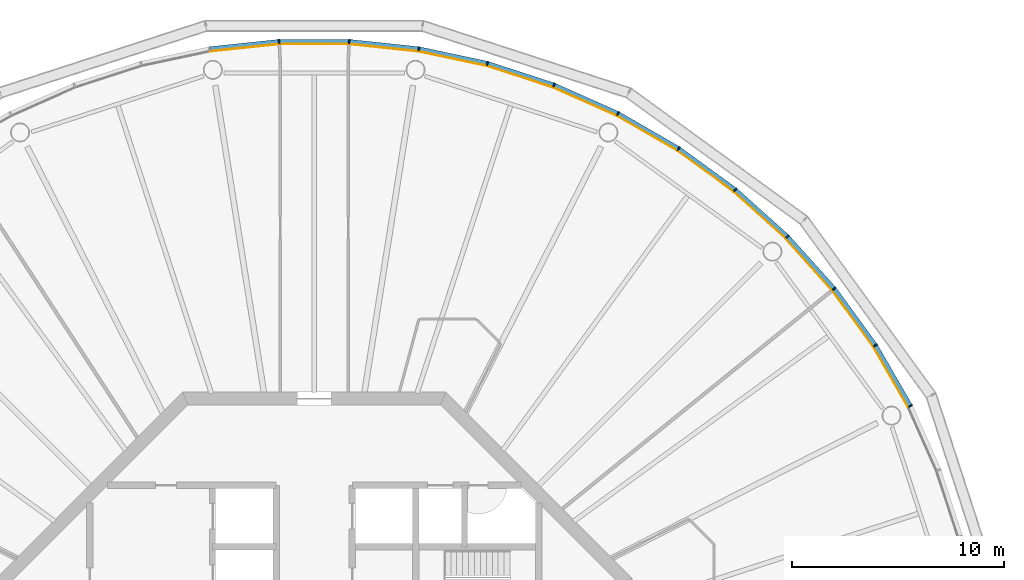
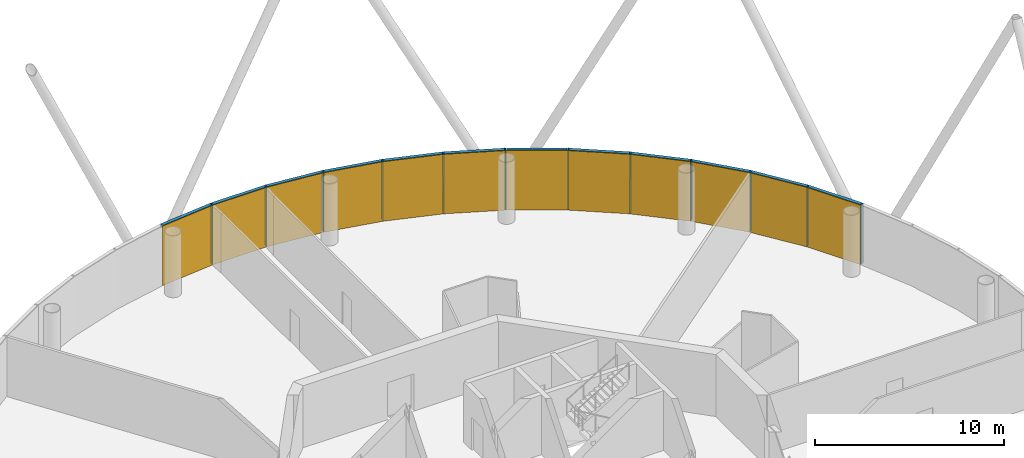
# One storey, part 12 of 13: 24 members, 4 curtain walls.
"""IFC4 building model written with IfcOpenShell, lengths in metres."""

import ifcopenshell
import ifcopenshell.guid

model = None  # the IFC model being written
_history = None  # IfcOwnerHistory: only IFC2X3 demands one
_inside = {}  # id of a spatial element -> (the spatial element, [elements in it])
_under = {}  # id of a project, library or spatial element -> (it, [spatial elements below it])
_declared = {}  # id of a project -> (the project, [libraries it declares])
_typed = {}  # id of a type object -> (the type object, [elements of that type])
_made_of = {}  # id of a material, layer set ... -> (it, [elements and type objects made of it])


def new_model(schema):
    """Start an empty IFC model of exactly this schema.

    Asked for "IFC4X3", IfcOpenShell would pick the latest addendum, in which some entities
    have other attributes; the version numbers below select the first issue.
    IFC2X3 requires an IfcOwnerHistory on every rooted entity: one is made here for all.
    """
    global model, _history
    if schema == "IFC4X3":
        model = ifcopenshell.file(schema_version=(4, 3, 0, 0))
    else:
        model = ifcopenshell.file(schema=schema)
    _inside.clear()
    _under.clear()
    _declared.clear()
    _typed.clear()
    _made_of.clear()
    _history = None
    if model.schema == "IFC2X3":
        org = make("IfcOrganization", Name="unknown")
        user = make(
            "IfcPersonAndOrganization",
            ThePerson=make("IfcPerson", FamilyName="unknown"),
            TheOrganization=org,
        )
        app = make(
            "IfcApplication",
            ApplicationDeveloper=org,
            Version="unknown",
            ApplicationFullName="unknown",
            ApplicationIdentifier="unknown",
        )
        _history = make(
            "IfcOwnerHistory",
            OwningUser=user,
            OwningApplication=app,
            ChangeAction="ADDED",
            CreationDate=0,
        )
    return model


def make(cls, **values):
    """One entity of the class cls with the attributes given. An attribute that is None is left unset."""
    return model.create_entity(
        cls, **{name: value for name, value in values.items() if value is not None}
    )


def rooted(cls, **values):
    """An entity with a GlobalId (a new one), such as an element, a storey or a relation."""
    return make(cls, GlobalId=ifcopenshell.guid.new(), OwnerHistory=_history, **values)


def si_unit(unit_type, name, prefix=None):
    """IfcSIUnit, for example si_unit("LENGTHUNIT", "METRE", prefix="MILLI")."""
    return make("IfcSIUnit", UnitType=unit_type, Prefix=prefix, Name=name)


def assignment(units):
    """IfcUnitAssignment: the units of a project."""
    return None if units is None else make("IfcUnitAssignment", Units=units)


def point(xyz):
    """IfcCartesianPoint."""
    return None if xyz is None else make("IfcCartesianPoint", Coordinates=xyz)


def direction(xyz):
    """IfcDirection."""
    return None if xyz is None else make("IfcDirection", DirectionRatios=xyz)


def frame(location, z_axis=None, x_axis=None):
    """IfcAxis2Placement3D, a coordinate frame: its origin and axes. An axis left out is left unset."""
    return make(
        "IfcAxis2Placement3D",
        Location=point(location),
        Axis=direction(z_axis),
        RefDirection=direction(x_axis),
    )


def frame_2d(location, x_axis=None):
    """IfcAxis2Placement2D, a coordinate frame in the plane: its origin and x axis."""
    return make(
        "IfcAxis2Placement2D", Location=point(location), RefDirection=direction(x_axis)
    )


def origin():
    """The frame at (0, 0, 0) with its axes left unset."""
    return frame((0.0, 0.0, 0.0))


def origin_2d():
    """The frame at (0, 0) in the plane with its x axis left unset."""
    return frame_2d((0.0, 0.0))


def place(relative_to, where):
    """IfcLocalPlacement: puts the frame where relative to a parent placement (None: the world)."""
    return make(
        "IfcLocalPlacement", PlacementRelTo=relative_to, RelativePlacement=where
    )


def context(
    kind, dimensions, precision=None, world=None, true_north=None, identifier=None
):
    """IfcGeometricRepresentationContext, for example the 3D "Model" context."""
    return make(
        "IfcGeometricRepresentationContext",
        ContextIdentifier=identifier,
        ContextType=kind,
        CoordinateSpaceDimension=dimensions,
        Precision=precision,
        WorldCoordinateSystem=world,
        TrueNorth=true_north,
    )


def subcontext(parent, identifier, kind, view, scale=None):
    """IfcGeometricRepresentationSubContext, for example "Body" below "Model"."""
    return make(
        "IfcGeometricRepresentationSubContext",
        ContextIdentifier=identifier,
        ContextType=kind,
        ParentContext=parent,
        TargetScale=scale,
        TargetView=view,
    )


def project(units=None, contexts=None):
    """IfcProject with its units and contexts."""
    return rooted(
        "IfcProject",
        Name="project",
        RepresentationContexts=contexts,
        UnitsInContext=assignment(units),
    )


def spatial(cls, under=None, at=None, **own):
    """A site, building, storey or space (cls), placed at a placement, below another one or the project."""
    s = rooted(cls, ObjectPlacement=at, **own)
    if under is not None:
        _under.setdefault(under.id(), (under, []))[1].append(s)
    return s


def polyline(points):
    """IfcPolyline through the points."""
    return make("IfcPolyline", Points=[point(p) for p in points])


def profile(cls, at=None, kind="AREA", **sizes):
    """A parametric profile (cls). Its sizes go by their IFC names, for example OverallWidth=200.0."""
    return make(cls, ProfileType=kind, Position=at, **sizes)


def rectangle(**sizes):
    """IfcRectangleProfileDef."""
    return profile("IfcRectangleProfileDef", **sizes)


def outline(outer, holes=None, kind="AREA"):
    """IfcArbitraryClosedProfileDef: a profile drawn as a closed curve; with holes, ...WithVoids."""
    if holes is None:
        return make("IfcArbitraryClosedProfileDef", ProfileType=kind, OuterCurve=outer)
    return make(
        "IfcArbitraryProfileDefWithVoids",
        ProfileType=kind,
        OuterCurve=outer,
        InnerCurves=holes,
    )


def extrude(swept, where, along, depth):
    """IfcExtrudedAreaSolid: the profile swept, set in the frame where, extruded along a direction by depth."""
    return make(
        "IfcExtrudedAreaSolid",
        SweptArea=swept,
        Position=where,
        ExtrudedDirection=direction(along),
        Depth=depth,
    )


def shape(context_of_items, identifier, shape_type, items):
    """IfcShapeRepresentation: the items that make up one representation, for example the "Body"."""
    return make(
        "IfcShapeRepresentation",
        ContextOfItems=context_of_items,
        RepresentationIdentifier=identifier,
        RepresentationType=shape_type,
        Items=items,
    )


def material(Name=None, Category=None):
    """IfcMaterial."""
    return make("IfcMaterial", Name=Name, Category=Category)


def layer(
    of_material, thickness, ventilated=None, Name=None, Category=None, Priority=None
):
    """IfcMaterialLayer: one layer of a wall or slab, of a material (None: an air gap)."""
    return make(
        "IfcMaterialLayer",
        Material=of_material,
        LayerThickness=thickness,
        IsVentilated=ventilated,
        Name=Name,
        Category=Category,
        Priority=Priority,
    )


def layer_set(layers, Name=None):
    """IfcMaterialLayerSet."""
    return make("IfcMaterialLayerSet", MaterialLayers=layers, LayerSetName=Name)


def material_profile(
    of_material, cross_section, Name=None, Category=None, Priority=None
):
    """IfcMaterialProfile: a cross section and its material."""
    return make(
        "IfcMaterialProfile",
        Name=Name,
        Material=of_material,
        Profile=cross_section,
        Priority=Priority,
        Category=Category,
    )


def profile_set(profiles, Name=None, composite=None):
    """IfcMaterialProfileSet."""
    return make(
        "IfcMaterialProfileSet",
        Name=Name,
        MaterialProfiles=profiles,
        CompositeProfile=composite,
    )


def made_of(thing, what):
    """Note that an element or type object is made of a material, layer set ...; save() writes the relation."""
    if what is not None:
        _made_of.setdefault(what.id(), (what, []))[1].append(thing)
    return thing


def type_object(cls, material=None, **own):
    """A type object (cls), such as IfcWallType, which elements share."""
    return made_of(rooted(cls, **own), material)


def element(
    cls,
    number,
    at=None,
    inside=None,
    cuts=None,
    type_object=None,
    material=None,
    context=None,
    identifier="Body",
    shape_type=None,
    held_by="IfcProductDefinitionShape",
    body=None,
    shapes=None,
    **own,
):
    """One element of the class cls, such as IfcWall. Its Tag is "e" and its number.

    at: its placement. inside: the storey or other place that contains it. cuts: it is an
    opening in that element (IfcRelVoidsElement). A single representation is given by context,
    identifier, shape_type and body (its items); several are given by shapes. held_by: the class
    of the entity that holds the representations. save() writes the other relations.
    """
    e = rooted(cls, Tag="e%d" % number, ObjectPlacement=at, **own)
    if body is not None:
        shapes = [shape(context, identifier, shape_type, body)]
    if shapes is not None:
        e.Representation = make(held_by, Representations=shapes)
    if inside is not None:
        _inside.setdefault(inside.id(), (inside, []))[1].append(e)
    if cuts is not None:
        rooted(
            "IfcRelVoidsElement", RelatingBuildingElement=cuts, RelatedOpeningElement=e
        )
    if type_object is not None:
        _typed.setdefault(type_object.id(), (type_object, []))[1].append(e)
    return made_of(e, material)


def aggregate(whole, parts):
    """IfcRelAggregates: a whole, such as a stair, and the parts it consists of."""
    return rooted("IfcRelAggregates", RelatingObject=whole, RelatedObjects=parts)


def save(model, path):
    """Write the relations noted so far, then the file.

    IfcRelAggregates (storeys below a building ...), IfcRelContainedInSpatialStructure (elements
    in a storey), IfcRelDefinesByType, IfcRelAssociatesMaterial and IfcRelDeclares: one each for
    every whole, place, type object, material and project.
    """
    for whole, parts in _under.values():
        aggregate(whole, parts)
    for where, things in _inside.values():
        rooted(
            "IfcRelContainedInSpatialStructure",
            RelatedElements=things,
            RelatingStructure=where,
        )
    for kind, things in _typed.values():
        rooted("IfcRelDefinesByType", RelatedObjects=things, RelatingType=kind)
    for what, things in _made_of.values():
        rooted("IfcRelAssociatesMaterial", RelatedObjects=things, RelatingMaterial=what)
    for by, libraries in _declared.values():
        rooted("IfcRelDeclares", RelatingContext=by, RelatedDefinitions=libraries)
    model.write(path)


model = new_model("IFC4")

# Units and contexts
model_context = context("Model", 3, precision=1e-05, world=origin(), true_north=direction((0.0, 1.0)))
body_context = subcontext(model_context, "Body", "Model", "MODEL_VIEW")
ifc_project = project(units=[si_unit("LENGTHUNIT", "METRE"), si_unit("AREAUNIT", "SQUARE_METRE"), si_unit("VOLUMEUNIT", "CUBIC_METRE"), si_unit("PLANEANGLEUNIT", "RADIAN"), si_unit("MASSUNIT", "GRAM", prefix="KILO")], contexts=[model_context])

# Member
ifc_material_1 = material(Name="Anodised aluminium", Category="aluminium")
ifc_material_profile_1 = material_profile(ifc_material_1, rectangle(XDim=0.070068359375, YDim=0.205078125, at=origin_2d()), Name="Mullion 70 x 205 mm anodised aluminium")
ifc_profile_set_1 = profile_set([ifc_material_profile_1], Name="Anodised aluminium")
member_type_1 = type_object("IfcMemberType", Name="Mullion 70 x 205 mm anodised aluminium", PredefinedType="MULLION", material=ifc_profile_set_1)
site_placement = place(None, origin())
building_placement = place(site_placement, origin())
storey_placement = place(building_placement, frame((0.0, 0.0, 336.0)))
member_1_placement = place(storey_placement, frame((118.157958984375, 94.34716796875, 0.0), z_axis=(0.0, 0.0, 1.0), x_axis=(-0.45399049974, 0.891006524188, 0.0)))
member_1 = element("IfcMember", 1, at=member_1_placement, type_object=member_type_1, Name="MULLION L77-03", PredefinedType="MULLION", context=body_context, shape_type="SweptSolid", body=[
    extrude(rectangle(XDim=0.070068359375, YDim=0.205078125, at=origin_2d()), origin(), (0.0, 0.0, 1.0), 3.85009765625),
])

member_2_placement = place(storey_placement, frame((116.504150390625, 97.2119140625, 0.0), z_axis=(0.0, 0.0, 1.0), x_axis=(-0.544639035015, 0.838670567945, 0.0)))
member_2 = element("IfcMember", 2, at=member_2_placement, type_object=member_type_1, Name="MULLION L77-04", PredefinedType="MULLION", context=body_context, shape_type="SweptSolid", body=[
    extrude(rectangle(XDim=0.070068359375, YDim=0.205078125, at=origin_2d()), origin(), (0.0, 0.0, 1.0), 3.85009765625),
])

member_3_placement = place(storey_placement, frame((114.559814453125, 99.88818359375, 0.0), z_axis=(0.0, 0.0, 1.0), x_axis=(-0.62932039105, 0.777145961457, 0.0)))
member_3 = element("IfcMember", 3, at=member_3_placement, type_object=member_type_1, Name="MULLION L77-05", PredefinedType="MULLION", context=body_context, shape_type="SweptSolid", body=[
    extrude(rectangle(XDim=0.070068359375, YDim=0.205078125, at=origin_2d()), origin(), (0.0, 0.0, 1.0), 3.85009765625),
])

member_4_placement = place(storey_placement, frame((112.346435546875, 102.346435546875, 0.0), z_axis=(0.0, 0.0, 1.0), x_axis=(-0.707106781187, 0.707106781187, 0.0)))
member_4 = element("IfcMember", 4, at=member_4_placement, type_object=member_type_1, Name="MULLION L77-06", PredefinedType="MULLION", context=body_context, shape_type="SweptSolid", body=[
    extrude(rectangle(XDim=0.070068359375, YDim=0.205078125, at=origin_2d()), origin(), (0.0, 0.0, 1.0), 3.85009765625),
])

member_5_placement = place(storey_placement, frame((109.88818359375, 104.559814453125, 0.0), z_axis=(0.0, 0.0, 1.0), x_axis=(-0.777145961457, 0.62932039105, 0.0)))
member_5 = element("IfcMember", 5, at=member_5_placement, type_object=member_type_1, Name="MULLION L77-07", PredefinedType="MULLION", context=body_context, shape_type="SweptSolid", body=[
    extrude(rectangle(XDim=0.070068359375, YDim=0.205078125, at=origin_2d()), origin(), (0.0, 0.0, 1.0), 3.85009765625),
])

member_6_placement = place(storey_placement, frame((107.2119140625, 106.504150390625, 0.0), z_axis=(0.0, 0.0, 1.0), x_axis=(-0.838670567945, 0.544639035015, 0.0)))
member_6 = element("IfcMember", 6, at=member_6_placement, type_object=member_type_1, Name="MULLION L77-08", PredefinedType="MULLION", context=body_context, shape_type="SweptSolid", body=[
    extrude(rectangle(XDim=0.070068359375, YDim=0.205078125, at=origin_2d()), origin(), (0.0, 0.0, 1.0), 3.85009765625),
])

member_7_placement = place(storey_placement, frame((104.34716796875, 108.157958984375, 0.0), z_axis=(0.0, 0.0, 1.0), x_axis=(-0.891006524188, 0.45399049974, 0.0)))
member_7 = element("IfcMember", 7, at=member_7_placement, type_object=member_type_1, Name="MULLION L77-09", PredefinedType="MULLION", context=body_context, shape_type="SweptSolid", body=[
    extrude(rectangle(XDim=0.070068359375, YDim=0.205078125, at=origin_2d()), origin(), (0.0, 0.0, 1.0), 3.85009765625),
])

member_8_placement = place(storey_placement, frame((101.325439453125, 109.50341796875, 0.0), z_axis=(0.0, 0.0, 1.0), x_axis=(-0.933580426497, 0.358367949545, 0.0)))
member_8 = element("IfcMember", 8, at=member_8_placement, type_object=member_type_1, Name="MULLION L77-10", PredefinedType="MULLION", context=body_context, shape_type="SweptSolid", body=[
    extrude(rectangle(XDim=0.070068359375, YDim=0.205078125, at=origin_2d()), origin(), (0.0, 0.0, 1.0), 3.85009765625),
])

member_9_placement = place(storey_placement, frame((98.179443359375, 110.525634765625, 0.0), z_axis=(0.0, 0.0, 1.0), x_axis=(-0.965925826289, 0.258819045103, 0.0)))
member_9 = element("IfcMember", 9, at=member_9_placement, type_object=member_type_1, Name="MULLION L77-11", PredefinedType="MULLION", context=body_context, shape_type="SweptSolid", body=[
    extrude(rectangle(XDim=0.070068359375, YDim=0.205078125, at=origin_2d()), origin(), (0.0, 0.0, 1.0), 3.85009765625),
])

member_10_placement = place(storey_placement, frame((94.943603515625, 111.21337890625, 0.0), z_axis=(0.0, 0.0, 1.0), x_axis=(-0.987688340595, 0.15643446504, 0.0)))
member_10 = element("IfcMember", 10, at=member_10_placement, type_object=member_type_1, Name="MULLION L77-12", PredefinedType="MULLION", context=body_context, shape_type="SweptSolid", body=[
    extrude(rectangle(XDim=0.070068359375, YDim=0.205078125, at=origin_2d()), origin(), (0.0, 0.0, 1.0), 3.85009765625),
])

member_11_placement = place(storey_placement, frame((91.654052734375, 111.55908203125, 0.0), z_axis=(0.0, 0.0, 1.0), x_axis=(-0.998629534755, 0.052335956243, 0.0)))
member_11 = element("IfcMember", 11, at=member_11_placement, type_object=member_type_1, Name="MULLION L77-13", PredefinedType="MULLION", context=body_context, shape_type="SweptSolid", body=[
    extrude(rectangle(XDim=0.070068359375, YDim=0.205078125, at=origin_2d()), origin(), (0.0, 0.0, 1.0), 3.85009765625),
])

member_12_placement = place(storey_placement, frame((88.345947265625, 111.55908203125, 0.0), z_axis=(0.0, 0.0, 1.0), x_axis=(-0.998629534755, -0.052335956243, 0.0)))
member_12 = element("IfcMember", 12, at=member_12_placement, type_object=member_type_1, Name="MULLION L77-14", PredefinedType="MULLION", context=body_context, shape_type="SweptSolid", body=[
    extrude(rectangle(XDim=0.070068359375, YDim=0.205078125, at=origin_2d()), origin(), (0.0, 0.0, 1.0), 3.85009765625),
])

ifc_material_2 = material(Name="Anodised aluminium", Category="aluminium")
ifc_material_profile_2 = material_profile(ifc_material_2, rectangle(XDim=0.205078125, YDim=0.195068359375, at=origin_2d()), Name="Transom 195 x 205 mm anodised aluminium")
ifc_profile_set_2 = profile_set([ifc_material_profile_2], Name="Anodised aluminium")
member_type_2 = type_object("IfcMemberType", Name="Transom 195 x 205 mm anodised aluminium", PredefinedType="USERDEFINED", material=ifc_profile_set_2)
member_13_placement = place(storey_placement, frame((118.137939453125, 94.38232421875, 3.75244140625), z_axis=(-0.500004055213, 0.866023062494, 0.0), x_axis=(-0.866023062494, -0.500004055213, 0.0)))
member_13 = element("IfcMember", 13, at=member_13_placement, type_object=member_type_2, Name="TRANSOM L77-03", ObjectType="TRANSOM", PredefinedType="USERDEFINED", context=body_context, shape_type="SweptSolid", body=[
    extrude(rectangle(XDim=0.205078125, YDim=0.195068359375, at=origin_2d()), origin(), (0.0, 0.0, 1.0), 3.22705078125),
])

member_14_placement = place(storey_placement, frame((116.48046875, 97.24462890625, 3.75244140625), z_axis=(-0.587802790201, 0.809004252048, 0.0), x_axis=(-0.809004252048, -0.587802790201, 0.0)))
member_14 = element("IfcMember", 14, at=member_14_placement, type_object=member_type_2, Name="TRANSOM L77-04", ObjectType="TRANSOM", PredefinedType="USERDEFINED", context=body_context, shape_type="SweptSolid", body=[
    extrude(rectangle(XDim=0.205078125, YDim=0.195068359375, at=origin_2d()), origin(), (0.0, 0.0, 1.0), 3.227294921875),
])

member_15_placement = place(storey_placement, frame((114.532958984375, 99.918212890625, 3.75244140625), z_axis=(-0.669144438484, 0.743132370743, 0.0), x_axis=(-0.743132370743, -0.669144438484, 0.0)))
member_15 = element("IfcMember", 15, at=member_15_placement, type_object=member_type_2, Name="TRANSOM L77-05", ObjectType="TRANSOM", PredefinedType="USERDEFINED", context=body_context, shape_type="SweptSolid", body=[
    extrude(rectangle(XDim=0.205078125, YDim=0.195068359375, at=origin_2d()), origin(), (0.0, 0.0, 1.0), 3.22705078125),
])

member_16_placement = place(storey_placement, frame((112.31640625, 102.37353515625, 3.75244140625), z_axis=(-0.743132370743, 0.669144438484, 0.0), x_axis=(-0.669144438484, -0.743132370743, 0.0)))
member_16 = element("IfcMember", 16, at=member_16_placement, type_object=member_type_2, Name="TRANSOM L77-06", ObjectType="TRANSOM", PredefinedType="USERDEFINED", context=body_context, shape_type="SweptSolid", body=[
    extrude(rectangle(XDim=0.205078125, YDim=0.195068359375, at=origin_2d()), origin(), (0.0, 0.0, 1.0), 3.22705078125),
])

member_17_placement = place(storey_placement, frame((109.85546875, 104.58349609375, 3.75244140625), z_axis=(-0.809004252048, 0.587802790201, 0.0), x_axis=(-0.587802790201, -0.809004252048, 0.0)))
member_17 = element("IfcMember", 17, at=member_17_placement, type_object=member_type_2, Name="TRANSOM L77-07", ObjectType="TRANSOM", PredefinedType="USERDEFINED", context=body_context, shape_type="SweptSolid", body=[
    extrude(rectangle(XDim=0.205078125, YDim=0.195068359375, at=origin_2d()), origin(), (0.0, 0.0, 1.0), 3.227294921875),
])

member_18_placement = place(storey_placement, frame((107.177001953125, 106.5244140625, 3.75244140625), z_axis=(-0.866023062494, 0.500004055213, 0.0), x_axis=(-0.500004055213, -0.866023062494, 0.0)))
member_18 = element("IfcMember", 18, at=member_18_placement, type_object=member_type_2, Name="TRANSOM L77-08", ObjectType="TRANSOM", PredefinedType="USERDEFINED", context=body_context, shape_type="SweptSolid", body=[
    extrude(rectangle(XDim=0.205078125, YDim=0.195068359375, at=origin_2d()), origin(), (0.0, 0.0, 1.0), 3.22705078125),
])

member_19_placement = place(storey_placement, frame((104.310302734375, 108.174560546875, 3.75244140625), z_axis=(-0.913521178731, 0.406791170024, 0.0), x_axis=(-0.406791170024, -0.913521178731, 0.0)))
member_19 = element("IfcMember", 19, at=member_19_placement, type_object=member_type_2, Name="TRANSOM L77-09", ObjectType="TRANSOM", PredefinedType="USERDEFINED", context=body_context, shape_type="SweptSolid", body=[
    extrude(rectangle(XDim=0.205078125, YDim=0.195068359375, at=origin_2d()), origin(), (0.0, 0.0, 1.0), 3.22705078125),
])

member_20_placement = place(storey_placement, frame((101.286865234375, 109.51611328125, 3.75244140625), z_axis=(-0.951046855117, 0.309046726844, 0.0), x_axis=(-0.309046726844, -0.951046855117, 0.0)))
member_20 = element("IfcMember", 20, at=member_20_placement, type_object=member_type_2, Name="TRANSOM L77-10", ObjectType="TRANSOM", PredefinedType="USERDEFINED", context=body_context, shape_type="SweptSolid", body=[
    extrude(rectangle(XDim=0.205078125, YDim=0.195068359375, at=origin_2d()), origin(), (0.0, 0.0, 1.0), 3.22705078125),
])

member_21_placement = place(storey_placement, frame((98.139892578125, 110.5341796875, 3.75244140625), z_axis=(-0.978153082647, 0.207885898771, 0.0), x_axis=(-0.207885898771, -0.978153082647, 0.0)))
member_21 = element("IfcMember", 21, at=member_21_placement, type_object=member_type_2, Name="TRANSOM L77-11", ObjectType="TRANSOM", PredefinedType="USERDEFINED", context=body_context, shape_type="SweptSolid", body=[
    extrude(rectangle(XDim=0.205078125, YDim=0.195068359375, at=origin_2d()), origin(), (0.0, 0.0, 1.0), 3.227294921875),
])

member_22_placement = place(storey_placement, frame((94.903564453125, 111.2177734375, 3.75244140625), z_axis=(-0.994519537956, 0.104550890115, 0.0), x_axis=(-0.104550890115, -0.994519537956, 0.0)))
member_22 = element("IfcMember", 22, at=member_22_placement, type_object=member_type_2, Name="TRANSOM L77-12", ObjectType="TRANSOM", PredefinedType="USERDEFINED", context=body_context, shape_type="SweptSolid", body=[
    extrude(rectangle(XDim=0.205078125, YDim=0.195068359375, at=origin_2d()), origin(), (0.0, 0.0, 1.0), 3.22705078125),
])

member_23_placement = place(storey_placement, frame((91.613525390625, 111.559326171875, 3.75244140625), z_axis=(-1.0, 0.0, 0.0), x_axis=(0.0, -1.0, 0.0)))
member_23 = element("IfcMember", 23, at=member_23_placement, type_object=member_type_2, Name="TRANSOM L77-13", ObjectType="TRANSOM", PredefinedType="USERDEFINED", context=body_context, shape_type="SweptSolid", body=[
    extrude(rectangle(XDim=0.205078125, YDim=0.195068359375, at=origin_2d()), origin(), (0.0, 0.0, 1.0), 3.22705078125),
])

member_24_placement = place(storey_placement, frame((88.305908203125, 111.55517578125, 3.75244140625), z_axis=(-0.994519537956, -0.104550890115, 0.0), x_axis=(0.104550890115, -0.994519537956, 0.0)))
member_24 = element("IfcMember", 24, at=member_24_placement, type_object=member_type_2, Name="TRANSOM L77-14", ObjectType="TRANSOM", PredefinedType="USERDEFINED", context=body_context, shape_type="SweptSolid", body=[
    extrude(rectangle(XDim=0.205078125, YDim=0.195068359375, at=origin_2d()), origin(), (0.0, 0.0, 1.0), 3.22705078125),
])

# Site, building, storey
site = spatial("IfcSite", under=ifc_project, at=site_placement, CompositionType="ELEMENT")
building = spatial("IfcBuilding", under=site, at=building_placement, Name="Entoto Ring Tower", CompositionType="ELEMENT")
storey = spatial("IfcBuildingStorey", under=building, at=storey_placement, Name="L77", CompositionType="ELEMENT", Elevation=336.0)

# Curtain wall
ifc_material_3 = material(Name="Clear low-iron glass", Category="glass")
ifc_layer = layer(ifc_material_3, 0.035888671875)
ifc_layer_set = layer_set([ifc_layer], Name="Clear low-iron glass")
curtain_wall_type = type_object("IfcCurtainWallType", Name="Curtain wall system CW6 glazing 36 mm", PredefinedType="NOTDEFINED", material=ifc_layer_set)
curtain_wall_1_placement = place(storey_placement, origin())
curtain_wall_1 = element("IfcCurtainWall", 25, at=curtain_wall_1_placement, inside=storey, type_object=curtain_wall_type, Name="CW6 L77-02", PredefinedType="NOTDEFINED", context=body_context, shape_type="SweptSolid", body=[
    extrude(outline(polyline([(118.066650390625, 94.30078125), (116.418212890625, 97.15625), (114.47998046875, 99.823486328125), (112.27392578125, 102.27392578125), (112.248291015625, 102.248291015625), (114.4521484375, 99.801025390625), (116.387939453125, 97.136474609375), (118.03466796875, 94.284423828125), (118.066650390625, 94.30078125)])), origin(), (0.0, 0.0, 1.0), 3.85009765625),
])

aggregate(curtain_wall_1, [member_1, member_2, member_3, member_13, member_14, member_15])

curtain_wall_2_placement = place(storey_placement, origin())
curtain_wall_2 = element("IfcCurtainWall", 26, at=curtain_wall_2_placement, inside=storey, type_object=curtain_wall_type, Name="CW6 L77-03", PredefinedType="NOTDEFINED", context=body_context, shape_type="SweptSolid", body=[
    extrude(outline(polyline([(112.27392578125, 102.27392578125), (109.823486328125, 104.47998046875), (107.15625, 106.418212890625), (104.30078125, 108.066650390625), (104.284423828125, 108.03466796875), (107.136474609375, 106.387939453125), (109.801025390625, 104.4521484375), (112.248291015625, 102.248291015625), (112.27392578125, 102.27392578125)])), origin(), (0.0, 0.0, 1.0), 3.85009765625),
])

aggregate(curtain_wall_2, [member_4, member_5, member_6, member_16, member_17, member_18])

curtain_wall_3_placement = place(storey_placement, origin())
curtain_wall_3 = element("IfcCurtainWall", 27, at=curtain_wall_3_placement, inside=storey, type_object=curtain_wall_type, Name="CW6 L77-04", PredefinedType="NOTDEFINED", context=body_context, shape_type="SweptSolid", body=[
    extrude(outline(polyline([(104.30078125, 108.066650390625), (101.28857421875, 109.40771484375), (98.15283203125, 110.4267578125), (94.927734375, 111.1123046875), (94.922119140625, 111.07666015625), (98.1435546875, 110.391845703125), (101.275634765625, 109.3740234375), (104.284423828125, 108.03466796875), (104.30078125, 108.066650390625)])), origin(), (0.0, 0.0, 1.0), 3.85009765625),
])

aggregate(curtain_wall_3, [member_7, member_8, member_9, member_19, member_20, member_21])

curtain_wall_4_placement = place(storey_placement, origin())
curtain_wall_4 = element("IfcCurtainWall", 28, at=curtain_wall_4_placement, inside=storey, type_object=curtain_wall_type, Name="CW6 L77-05", PredefinedType="NOTDEFINED", context=body_context, shape_type="SweptSolid", body=[
    extrude(outline(polyline([(94.927734375, 111.1123046875), (91.648681640625, 111.456787109375), (88.351318359375, 111.456787109375), (85.072265625, 111.1123046875), (85.077880859375, 111.07666015625), (88.353271484375, 111.4208984375), (91.646728515625, 111.4208984375), (94.922119140625, 111.07666015625), (94.927734375, 111.1123046875)])), origin(), (0.0, 0.0, 1.0), 3.85009765625),
])

aggregate(curtain_wall_4, [member_10, member_11, member_12, member_22, member_23, member_24])

save(model, "model.ifc")
